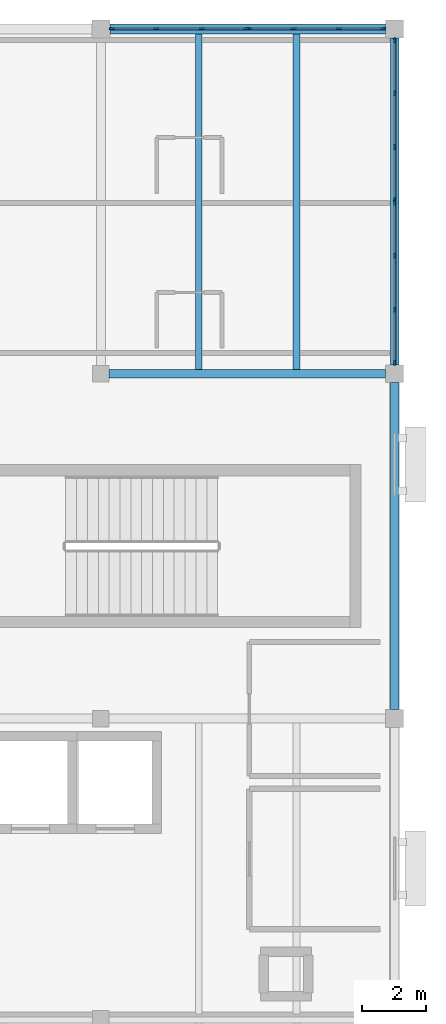
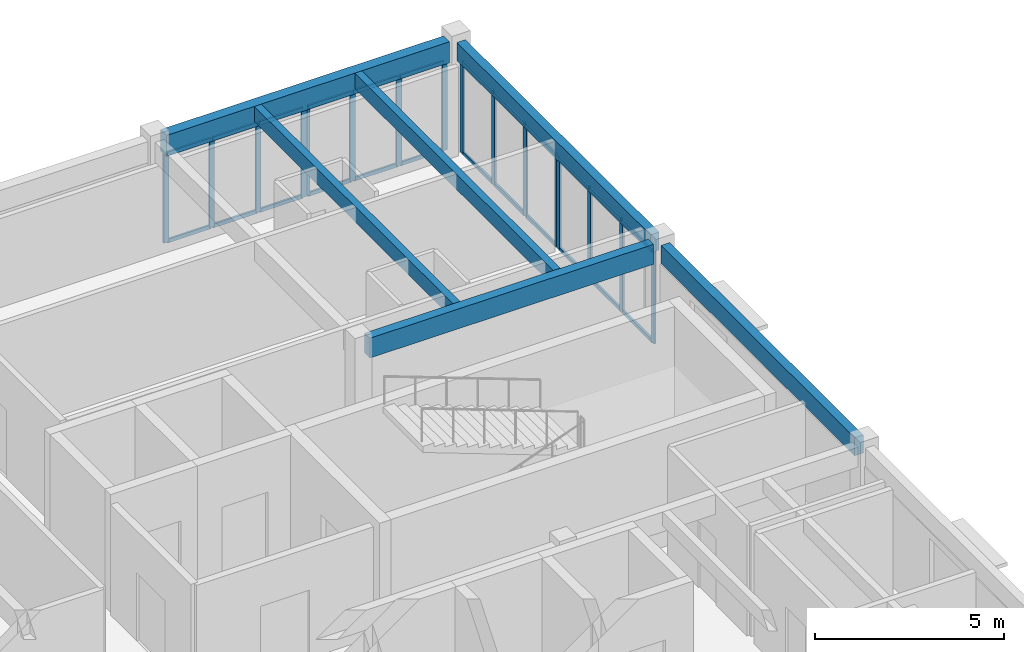
# One storey, part 19 of 40: 40 members, 6 beams, 4 elements without a shape of their own.
"""IFC4 building model written with IfcOpenShell, lengths in metres."""

from ifc_helpers import new_model, si_unit, direction, frame, origin, origin_2d, place, context, subcontext, project, spatial, rectangle, extrude, material, material_profile, profile_set, type_object, element, aggregate, save


model = new_model("IFC4")

# Units and contexts
model_context = context("Model", 3, precision=1e-05, world=origin(), true_north=direction((0.0, 1.0)))
body_context = subcontext(model_context, "Body", "Model", "MODEL_VIEW")
ifc_project = project(units=[si_unit("LENGTHUNIT", "METRE"), si_unit("AREAUNIT", "SQUARE_METRE"), si_unit("VOLUMEUNIT", "CUBIC_METRE"), si_unit("PLANEANGLEUNIT", "RADIAN"), si_unit("MASSUNIT", "GRAM", prefix="KILO")], contexts=[model_context])

# Site, building, storey
site_placement = place(None, origin())
site = spatial("IfcSite", under=ifc_project, at=site_placement, CompositionType="ELEMENT")
building_placement = place(site_placement, origin())
building = spatial("IfcBuilding", under=site, at=building_placement, Name="Veldera Park Congress Hotel", CompositionType="ELEMENT")
storey_placement = place(building_placement, frame((0.0, 0.0, 16.199951171875)))
storey = spatial("IfcBuildingStorey", under=building, at=storey_placement, Name="L03", CompositionType="ELEMENT", Elevation=16.199951171875)

# Beams
ifc_material_1 = material(Name="Glulam GL28h (NDS 24F-V4)", Category="wood")
ifc_material_profile_1 = material_profile(ifc_material_1, rectangle(XDim=0.264892578125, YDim=0.580078125, at=origin_2d()), Name="GL28h 265x580")
ifc_profile_set_1 = profile_set([ifc_material_profile_1], Name="Glulam GL28h (NDS 24F-V4)")
beam_type_1 = type_object("IfcBeamType", Name="BM-GL540E", PredefinedType="BEAM", material=ifc_profile_set_1)
for number, where, z_axis, x_axis, name in (
    (1, (84.0, 36.679931640625, 3.27001953125), (0.0, 1.0, 0.0), (-1.0, 0.0, 0.0), "L03 Girder BM-GL540E 1194"),
    (2, (84.0, 47.47998046875, 3.27001953125), (0.0, 1.0, 0.0), (-1.0, 0.0, 0.0), "L03 Girder BM-GL540E 1195"),
):
    element("IfcBeam", number, at=place(storey_placement, frame(where, z_axis=z_axis, x_axis=x_axis)), inside=storey, type_object=beam_type_1, Name=name, PredefinedType="BEAM", context=body_context, shape_type="SweptSolid", body=[
        extrude(rectangle(XDim=0.264892578125, YDim=0.580078125, at=origin_2d()), origin(), (0.0, 0.0, 1.0), 10.239990234375),
    ])
ifc_material_profile_2 = material_profile(ifc_material_1, rectangle(XDim=0.280029296875, YDim=0.639892578125, at=origin_2d()), Name="GL28h 280x640")
ifc_profile_set_2 = profile_set([ifc_material_profile_2], Name="Glulam GL28h (NDS 24F-V4)")
beam_type_2 = type_object("IfcBeamType", Name="BM-GL640", PredefinedType="BEAM", material=ifc_profile_set_2)
beam_1_placement = place(storey_placement, frame((75.06005859375, 47.199951171875, 3.239990234375), z_axis=(1.0, 0.0, 0.0), x_axis=(0.0, 1.0, 0.0)))
element("IfcBeam", 3, at=beam_1_placement, inside=storey, type_object=beam_type_2, Name="L03 Girder BM-GL640 1129", PredefinedType="BEAM", context=body_context, shape_type="SweptSolid", body=[
    extrude(rectangle(XDim=0.280029296875, YDim=0.639892578125, at=origin_2d()), origin(), (0.0, 0.0, 1.0), 8.659912109375),
])
ifc_material_profile_3 = material_profile(ifc_material_1, rectangle(XDim=0.31494140625, YDim=0.679931640625, at=origin_2d()), Name="GL28h 315x680")
ifc_profile_set_3 = profile_set([ifc_material_profile_3], Name="Glulam GL28h (NDS 24F-V4)")
beam_type_3 = type_object("IfcBeamType", Name="BM-GL640E", PredefinedType="BEAM", material=ifc_profile_set_3)
beam_2_placement = place(storey_placement, frame((75.080078125, 58.0, 3.219970703125), z_axis=(1.0, 0.0, 0.0), x_axis=(0.0, 1.0, 0.0)))
element("IfcBeam", 4, at=beam_2_placement, inside=storey, type_object=beam_type_3, Name="L03 Girder BM-GL640E 1138", PredefinedType="BEAM", context=body_context, shape_type="SweptSolid", body=[
    extrude(rectangle(XDim=0.31494140625, YDim=0.679931640625, at=origin_2d()), origin(), (0.0, 0.0, 1.0), 8.639892578125),
])

# Curtain wall, members
ifc_material_2 = material(Name="Low-E Triple Insulating Glass Unit (SHGC 0.22)", Category="glass")
curtain_wall_type = type_object("IfcCurtainWallType", Name="CW-HTL", PredefinedType="NOTDEFINED", material=ifc_material_2)
curtain_wall_1_placement = place(storey_placement, origin())
curtain_wall_1 = element("IfcCurtainWall", 5, at=curtain_wall_1_placement, inside=storey, type_object=curtain_wall_type, Name="L03 Curtain Wall CW3-HTLNE-L03-096", PredefinedType="NOTDEFINED")
ifc_material_3 = material(Name="Anodised Aluminium Alloy 6063-T6", Category="aluminium")
ifc_material_profile_4 = material_profile(ifc_material_3, rectangle(XDim=0.06005859375, YDim=0.159912109375, at=origin_2d()), Name="ALU 60x160")
ifc_profile_set_4 = profile_set([ifc_material_profile_4], Name="Anodised Aluminium Alloy 6063-T6")
member_type_1 = type_object("IfcMemberType", Name="CWM-160", PredefinedType="MULLION", material=ifc_profile_set_4)
member_1_placement = place(storey_placement, frame((84.0, 47.550048828125, 0.0), z_axis=(0.0, 0.0, 1.0), x_axis=(-1.0, 0.0, 0.0)))
member_1 = element("IfcMember", 6, at=member_1_placement, type_object=member_type_1, Name="CW-HTL mullion 1", PredefinedType="MULLION", context=body_context, shape_type="SweptSolid", body=[
    extrude(rectangle(XDim=0.06005859375, YDim=0.159912109375, at=origin_2d()), origin(), (0.0, 0.0, 1.0), 2.97509765625),
])
member_2_placement = place(storey_placement, frame((84.0, 49.208251953125, 0.0), z_axis=(0.0, 0.0, 1.0), x_axis=(-1.0, 0.0, 0.0)))
member_2 = element("IfcMember", 7, at=member_2_placement, type_object=member_type_1, Name="CW-HTL mullion 2", PredefinedType="MULLION", context=body_context, shape_type="SweptSolid", body=[
    extrude(rectangle(XDim=0.06005859375, YDim=0.159912109375, at=origin_2d()), origin(), (0.0, 0.0, 1.0), 2.97509765625),
])
member_3_placement = place(storey_placement, frame((84.0, 50.896728515625, 0.0), z_axis=(0.0, 0.0, 1.0), x_axis=(-1.0, 0.0, 0.0)))
member_3 = element("IfcMember", 8, at=member_3_placement, type_object=member_type_1, Name="CW-HTL mullion 3", PredefinedType="MULLION", context=body_context, shape_type="SweptSolid", body=[
    extrude(rectangle(XDim=0.06005859375, YDim=0.159912109375, at=origin_2d()), origin(), (0.0, 0.0, 1.0), 2.97509765625),
])
member_4_placement = place(storey_placement, frame((84.0, 52.554931640625, 0.0), z_axis=(0.0, 0.0, 1.0), x_axis=(-1.0, 0.0, 0.0)))
member_4 = element("IfcMember", 9, at=member_4_placement, type_object=member_type_1, Name="CW-HTL mullion 4", PredefinedType="MULLION", context=body_context, shape_type="SweptSolid", body=[
    extrude(rectangle(XDim=0.06005859375, YDim=0.159912109375, at=origin_2d()), origin(), (0.0, 0.0, 1.0), 2.97509765625),
])

curtain_wall_2_placement = place(storey_placement, origin())
curtain_wall_2 = element("IfcCurtainWall", 10, at=curtain_wall_2_placement, inside=storey, type_object=curtain_wall_type, Name="L03 Curtain Wall CW3-HTLNE-L03-097", PredefinedType="NOTDEFINED")
member_5_placement = place(storey_placement, frame((84.0, 52.64501953125, 0.0), z_axis=(0.0, 0.0, 1.0), x_axis=(-1.0, 0.0, 0.0)))
member_5 = element("IfcMember", 11, at=member_5_placement, type_object=member_type_1, Name="CW-HTL mullion 1", PredefinedType="MULLION", context=body_context, shape_type="SweptSolid", body=[
    extrude(rectangle(XDim=0.06005859375, YDim=0.159912109375, at=origin_2d()), origin(), (0.0, 0.0, 1.0), 2.97509765625),
])
member_6_placement = place(storey_placement, frame((84.0, 54.30322265625, 0.0), z_axis=(0.0, 0.0, 1.0), x_axis=(-1.0, 0.0, 0.0)))
member_6 = element("IfcMember", 12, at=member_6_placement, type_object=member_type_1, Name="CW-HTL mullion 2", PredefinedType="MULLION", context=body_context, shape_type="SweptSolid", body=[
    extrude(rectangle(XDim=0.06005859375, YDim=0.159912109375, at=origin_2d()), origin(), (0.0, 0.0, 1.0), 2.97509765625),
])
member_7_placement = place(storey_placement, frame((84.0, 55.99169921875, 0.0), z_axis=(0.0, 0.0, 1.0), x_axis=(-1.0, 0.0, 0.0)))
member_7 = element("IfcMember", 13, at=member_7_placement, type_object=member_type_1, Name="CW-HTL mullion 3", PredefinedType="MULLION", context=body_context, shape_type="SweptSolid", body=[
    extrude(rectangle(XDim=0.06005859375, YDim=0.159912109375, at=origin_2d()), origin(), (0.0, 0.0, 1.0), 2.97509765625),
])
member_8_placement = place(storey_placement, frame((84.0, 57.64990234375, 0.0), z_axis=(0.0, 0.0, 1.0), x_axis=(-1.0, 0.0, 0.0)))
member_8 = element("IfcMember", 14, at=member_8_placement, type_object=member_type_1, Name="CW-HTL mullion 4", PredefinedType="MULLION", context=body_context, shape_type="SweptSolid", body=[
    extrude(rectangle(XDim=0.06005859375, YDim=0.159912109375, at=origin_2d()), origin(), (0.0, 0.0, 1.0), 2.97509765625),
])

curtain_wall_3_placement = place(storey_placement, origin())
curtain_wall_3 = element("IfcCurtainWall", 15, at=curtain_wall_3_placement, inside=storey, type_object=curtain_wall_type, Name="L03 Curtain Wall CW3-HTLNN-L03-098", PredefinedType="NOTDEFINED")
member_9_placement = place(storey_placement, frame((83.64990234375, 58.0, 0.0), z_axis=(0.0, 0.0, 1.0), x_axis=(0.0, -1.0, 0.0)))
member_9 = element("IfcMember", 16, at=member_9_placement, type_object=member_type_1, Name="CW-HTL mullion 1", PredefinedType="MULLION", context=body_context, shape_type="SweptSolid", body=[
    extrude(rectangle(XDim=0.06005859375, YDim=0.159912109375, at=origin_2d()), origin(), (0.0, 0.0, 1.0), 2.875),
])
member_10_placement = place(storey_placement, frame((82.25830078125, 58.0, 0.0), z_axis=(0.0, 0.0, 1.0), x_axis=(0.0, -1.0, 0.0)))
member_10 = element("IfcMember", 17, at=member_10_placement, type_object=member_type_1, Name="CW-HTL mullion 2", PredefinedType="MULLION", context=body_context, shape_type="SweptSolid", body=[
    extrude(rectangle(XDim=0.06005859375, YDim=0.159912109375, at=origin_2d()), origin(), (0.0, 0.0, 1.0), 2.875),
])
member_11_placement = place(storey_placement, frame((80.836669921875, 58.0, 0.0), z_axis=(0.0, 0.0, 1.0), x_axis=(0.0, -1.0, 0.0)))
member_11 = element("IfcMember", 18, at=member_11_placement, type_object=member_type_1, Name="CW-HTL mullion 3", PredefinedType="MULLION", context=body_context, shape_type="SweptSolid", body=[
    extrude(rectangle(XDim=0.06005859375, YDim=0.159912109375, at=origin_2d()), origin(), (0.0, 0.0, 1.0), 2.875),
])
member_12_placement = place(storey_placement, frame((79.445068359375, 58.0, 0.0), z_axis=(0.0, 0.0, 1.0), x_axis=(0.0, -1.0, 0.0)))
member_12 = element("IfcMember", 19, at=member_12_placement, type_object=member_type_1, Name="CW-HTL mullion 4", PredefinedType="MULLION", context=body_context, shape_type="SweptSolid", body=[
    extrude(rectangle(XDim=0.06005859375, YDim=0.159912109375, at=origin_2d()), origin(), (0.0, 0.0, 1.0), 2.875),
])

curtain_wall_4_placement = place(storey_placement, origin())
curtain_wall_4 = element("IfcCurtainWall", 20, at=curtain_wall_4_placement, inside=storey, type_object=curtain_wall_type, Name="L03 Curtain Wall CW3-HTLNN-L03-099", PredefinedType="NOTDEFINED")
member_13_placement = place(storey_placement, frame((79.35498046875, 58.0, 0.0), z_axis=(0.0, 0.0, 1.0), x_axis=(0.0, -1.0, 0.0)))
member_13 = element("IfcMember", 21, at=member_13_placement, type_object=member_type_1, Name="CW-HTL mullion 1", PredefinedType="MULLION", context=body_context, shape_type="SweptSolid", body=[
    extrude(rectangle(XDim=0.06005859375, YDim=0.159912109375, at=origin_2d()), origin(), (0.0, 0.0, 1.0), 2.875),
])
member_14_placement = place(storey_placement, frame((77.96337890625, 58.0, 0.0), z_axis=(0.0, 0.0, 1.0), x_axis=(0.0, -1.0, 0.0)))
member_14 = element("IfcMember", 22, at=member_14_placement, type_object=member_type_1, Name="CW-HTL mullion 2", PredefinedType="MULLION", context=body_context, shape_type="SweptSolid", body=[
    extrude(rectangle(XDim=0.06005859375, YDim=0.159912109375, at=origin_2d()), origin(), (0.0, 0.0, 1.0), 2.875),
])
member_15_placement = place(storey_placement, frame((76.541748046875, 58.0, 0.0), z_axis=(0.0, 0.0, 1.0), x_axis=(0.0, -1.0, 0.0)))
member_15 = element("IfcMember", 23, at=member_15_placement, type_object=member_type_1, Name="CW-HTL mullion 3", PredefinedType="MULLION", context=body_context, shape_type="SweptSolid", body=[
    extrude(rectangle(XDim=0.06005859375, YDim=0.159912109375, at=origin_2d()), origin(), (0.0, 0.0, 1.0), 2.875),
])
member_16_placement = place(storey_placement, frame((75.14990234375, 58.0, 0.0), z_axis=(0.0, 0.0, 1.0), x_axis=(0.0, -1.0, 0.0)))
member_16 = element("IfcMember", 24, at=member_16_placement, type_object=member_type_1, Name="CW-HTL mullion 4", PredefinedType="MULLION", context=body_context, shape_type="SweptSolid", body=[
    extrude(rectangle(XDim=0.06005859375, YDim=0.159912109375, at=origin_2d()), origin(), (0.0, 0.0, 1.0), 2.875),
])

# Member
ifc_material_profile_5 = material_profile(ifc_material_3, rectangle(XDim=0.06005859375, YDim=0.1201171875, at=origin_2d()), Name="ALU 60x120")
ifc_profile_set_5 = profile_set([ifc_material_profile_5], Name="Anodised Aluminium Alloy 6063-T6")
member_type_2 = type_object("IfcMemberType", Name="CWT-120", PredefinedType="USERDEFINED", material=ifc_profile_set_5)
member_17_placement = place(storey_placement, frame((84.0, 47.580078125, 0.030029296875), z_axis=(0.0, 1.0, 0.0), x_axis=(-1.0, 0.0, 0.0)))
member_17 = element("IfcMember", 25, at=member_17_placement, type_object=member_type_2, Name="CW-HTL transom 1.1", ObjectType="TRANSOM", PredefinedType="USERDEFINED", context=body_context, shape_type="SweptSolid", body=[
    extrude(rectangle(XDim=0.06005859375, YDim=0.1201171875, at=origin_2d()), origin(), (0.0, 0.0, 1.0), 1.59814453125),
])

member_18_placement = place(storey_placement, frame((84.0, 47.580078125, 2.945068359375), z_axis=(0.0, 1.0, 0.0), x_axis=(-1.0, 0.0, 0.0)))
member_18 = element("IfcMember", 26, at=member_18_placement, type_object=member_type_2, Name="CW-HTL transom 1.2", ObjectType="TRANSOM", PredefinedType="USERDEFINED", context=body_context, shape_type="SweptSolid", body=[
    extrude(rectangle(XDim=0.06005859375, YDim=0.1201171875, at=origin_2d()), origin(), (0.0, 0.0, 1.0), 1.59814453125),
])

member_19_placement = place(storey_placement, frame((84.0, 49.23828125, 0.030029296875), z_axis=(0.0, 1.0, 0.0), x_axis=(-1.0, 0.0, 0.0)))
member_19 = element("IfcMember", 27, at=member_19_placement, type_object=member_type_2, Name="CW-HTL transom 2.1", ObjectType="TRANSOM", PredefinedType="USERDEFINED", context=body_context, shape_type="SweptSolid", body=[
    extrude(rectangle(XDim=0.06005859375, YDim=0.1201171875, at=origin_2d()), origin(), (0.0, 0.0, 1.0), 1.62841796875),
])

member_20_placement = place(storey_placement, frame((84.0, 49.23828125, 2.945068359375), z_axis=(0.0, 1.0, 0.0), x_axis=(-1.0, 0.0, 0.0)))
member_20 = element("IfcMember", 28, at=member_20_placement, type_object=member_type_2, Name="CW-HTL transom 2.2", ObjectType="TRANSOM", PredefinedType="USERDEFINED", context=body_context, shape_type="SweptSolid", body=[
    extrude(rectangle(XDim=0.06005859375, YDim=0.1201171875, at=origin_2d()), origin(), (0.0, 0.0, 1.0), 1.62841796875),
])

member_21_placement = place(storey_placement, frame((84.0, 50.9267578125, 0.030029296875), z_axis=(0.0, 1.0, 0.0), x_axis=(-1.0, 0.0, 0.0)))
member_21 = element("IfcMember", 29, at=member_21_placement, type_object=member_type_2, Name="CW-HTL transom 3.1", ObjectType="TRANSOM", PredefinedType="USERDEFINED", context=body_context, shape_type="SweptSolid", body=[
    extrude(rectangle(XDim=0.06005859375, YDim=0.1201171875, at=origin_2d()), origin(), (0.0, 0.0, 1.0), 1.59814453125),
])

member_22_placement = place(storey_placement, frame((84.0, 50.9267578125, 2.945068359375), z_axis=(0.0, 1.0, 0.0), x_axis=(-1.0, 0.0, 0.0)))
member_22 = element("IfcMember", 30, at=member_22_placement, type_object=member_type_2, Name="CW-HTL transom 3.2", ObjectType="TRANSOM", PredefinedType="USERDEFINED", context=body_context, shape_type="SweptSolid", body=[
    extrude(rectangle(XDim=0.06005859375, YDim=0.1201171875, at=origin_2d()), origin(), (0.0, 0.0, 1.0), 1.59814453125),
])

aggregate(curtain_wall_1, [member_1, member_2, member_3, member_4, member_17, member_18, member_19, member_20, member_21, member_22])

member_23_placement = place(storey_placement, frame((84.0, 52.675048828125, 0.030029296875), z_axis=(0.0, 1.0, 0.0), x_axis=(-1.0, 0.0, 0.0)))
member_23 = element("IfcMember", 31, at=member_23_placement, type_object=member_type_2, Name="CW-HTL transom 1.1", ObjectType="TRANSOM", PredefinedType="USERDEFINED", context=body_context, shape_type="SweptSolid", body=[
    extrude(rectangle(XDim=0.06005859375, YDim=0.1201171875, at=origin_2d()), origin(), (0.0, 0.0, 1.0), 1.598388671875),
])

member_24_placement = place(storey_placement, frame((84.0, 52.675048828125, 2.945068359375), z_axis=(0.0, 1.0, 0.0), x_axis=(-1.0, 0.0, 0.0)))
member_24 = element("IfcMember", 32, at=member_24_placement, type_object=member_type_2, Name="CW-HTL transom 1.2", ObjectType="TRANSOM", PredefinedType="USERDEFINED", context=body_context, shape_type="SweptSolid", body=[
    extrude(rectangle(XDim=0.06005859375, YDim=0.1201171875, at=origin_2d()), origin(), (0.0, 0.0, 1.0), 1.598388671875),
])

member_25_placement = place(storey_placement, frame((84.0, 54.333251953125, 0.030029296875), z_axis=(0.0, 1.0, 0.0), x_axis=(-1.0, 0.0, 0.0)))
member_25 = element("IfcMember", 33, at=member_25_placement, type_object=member_type_2, Name="CW-HTL transom 2.1", ObjectType="TRANSOM", PredefinedType="USERDEFINED", context=body_context, shape_type="SweptSolid", body=[
    extrude(rectangle(XDim=0.06005859375, YDim=0.1201171875, at=origin_2d()), origin(), (0.0, 0.0, 1.0), 1.62841796875),
])

member_26_placement = place(storey_placement, frame((84.0, 54.333251953125, 2.945068359375), z_axis=(0.0, 1.0, 0.0), x_axis=(-1.0, 0.0, 0.0)))
member_26 = element("IfcMember", 34, at=member_26_placement, type_object=member_type_2, Name="CW-HTL transom 2.2", ObjectType="TRANSOM", PredefinedType="USERDEFINED", context=body_context, shape_type="SweptSolid", body=[
    extrude(rectangle(XDim=0.06005859375, YDim=0.1201171875, at=origin_2d()), origin(), (0.0, 0.0, 1.0), 1.62841796875),
])

member_27_placement = place(storey_placement, frame((84.0, 56.021728515625, 0.030029296875), z_axis=(0.0, 1.0, 0.0), x_axis=(-1.0, 0.0, 0.0)))
member_27 = element("IfcMember", 35, at=member_27_placement, type_object=member_type_2, Name="CW-HTL transom 3.1", ObjectType="TRANSOM", PredefinedType="USERDEFINED", context=body_context, shape_type="SweptSolid", body=[
    extrude(rectangle(XDim=0.06005859375, YDim=0.1201171875, at=origin_2d()), origin(), (0.0, 0.0, 1.0), 1.598388671875),
])

member_28_placement = place(storey_placement, frame((84.0, 56.021728515625, 2.945068359375), z_axis=(0.0, 1.0, 0.0), x_axis=(-1.0, 0.0, 0.0)))
member_28 = element("IfcMember", 36, at=member_28_placement, type_object=member_type_2, Name="CW-HTL transom 3.2", ObjectType="TRANSOM", PredefinedType="USERDEFINED", context=body_context, shape_type="SweptSolid", body=[
    extrude(rectangle(XDim=0.06005859375, YDim=0.1201171875, at=origin_2d()), origin(), (0.0, 0.0, 1.0), 1.598388671875),
])

aggregate(curtain_wall_2, [member_5, member_6, member_7, member_8, member_23, member_24, member_25, member_26, member_27, member_28])

member_29_placement = place(storey_placement, frame((83.6201171875, 58.0, 0.030029296875), z_axis=(-1.0, 0.0, 0.0), x_axis=(0.0, -1.0, 0.0)))
member_29 = element("IfcMember", 37, at=member_29_placement, type_object=member_type_2, Name="CW-HTL transom 1.1", ObjectType="TRANSOM", PredefinedType="USERDEFINED", context=body_context, shape_type="SweptSolid", body=[
    extrude(rectangle(XDim=0.06005859375, YDim=0.1201171875, at=origin_2d()), origin(), (0.0, 0.0, 1.0), 1.331787109375),
])

member_30_placement = place(storey_placement, frame((83.6201171875, 58.0, 2.844970703125), z_axis=(-1.0, 0.0, 0.0), x_axis=(0.0, -1.0, 0.0)))
member_30 = element("IfcMember", 38, at=member_30_placement, type_object=member_type_2, Name="CW-HTL transom 1.2", ObjectType="TRANSOM", PredefinedType="USERDEFINED", context=body_context, shape_type="SweptSolid", body=[
    extrude(rectangle(XDim=0.06005859375, YDim=0.1201171875, at=origin_2d()), origin(), (0.0, 0.0, 1.0), 1.331787109375),
])

member_31_placement = place(storey_placement, frame((82.228271484375, 58.0, 0.030029296875), z_axis=(-1.0, 0.0, 0.0), x_axis=(0.0, -1.0, 0.0)))
member_31 = element("IfcMember", 39, at=member_31_placement, type_object=member_type_2, Name="CW-HTL transom 2.1", ObjectType="TRANSOM", PredefinedType="USERDEFINED", context=body_context, shape_type="SweptSolid", body=[
    extrude(rectangle(XDim=0.06005859375, YDim=0.1201171875, at=origin_2d()), origin(), (0.0, 0.0, 1.0), 1.361572265625),
])

member_32_placement = place(storey_placement, frame((82.228271484375, 58.0, 2.844970703125), z_axis=(-1.0, 0.0, 0.0), x_axis=(0.0, -1.0, 0.0)))
member_32 = element("IfcMember", 40, at=member_32_placement, type_object=member_type_2, Name="CW-HTL transom 2.2", ObjectType="TRANSOM", PredefinedType="USERDEFINED", context=body_context, shape_type="SweptSolid", body=[
    extrude(rectangle(XDim=0.06005859375, YDim=0.1201171875, at=origin_2d()), origin(), (0.0, 0.0, 1.0), 1.361572265625),
])

member_33_placement = place(storey_placement, frame((80.806640625, 58.0, 0.030029296875), z_axis=(-1.0, 0.0, 0.0), x_axis=(0.0, -1.0, 0.0)))
member_33 = element("IfcMember", 41, at=member_33_placement, type_object=member_type_2, Name="CW-HTL transom 3.1", ObjectType="TRANSOM", PredefinedType="USERDEFINED", context=body_context, shape_type="SweptSolid", body=[
    extrude(rectangle(XDim=0.06005859375, YDim=0.1201171875, at=origin_2d()), origin(), (0.0, 0.0, 1.0), 1.33154296875),
])

member_34_placement = place(storey_placement, frame((80.806640625, 58.0, 2.844970703125), z_axis=(-1.0, 0.0, 0.0), x_axis=(0.0, -1.0, 0.0)))
member_34 = element("IfcMember", 42, at=member_34_placement, type_object=member_type_2, Name="CW-HTL transom 3.2", ObjectType="TRANSOM", PredefinedType="USERDEFINED", context=body_context, shape_type="SweptSolid", body=[
    extrude(rectangle(XDim=0.06005859375, YDim=0.1201171875, at=origin_2d()), origin(), (0.0, 0.0, 1.0), 1.33154296875),
])

aggregate(curtain_wall_3, [member_9, member_10, member_11, member_12, member_29, member_30, member_31, member_32, member_33, member_34])

member_35_placement = place(storey_placement, frame((79.324951171875, 58.0, 0.030029296875), z_axis=(-1.0, 0.0, 0.0), x_axis=(0.0, -1.0, 0.0)))
member_35 = element("IfcMember", 43, at=member_35_placement, type_object=member_type_2, Name="CW-HTL transom 1.1", ObjectType="TRANSOM", PredefinedType="USERDEFINED", context=body_context, shape_type="SweptSolid", body=[
    extrude(rectangle(XDim=0.06005859375, YDim=0.1201171875, at=origin_2d()), origin(), (0.0, 0.0, 1.0), 1.33154296875),
])

member_36_placement = place(storey_placement, frame((79.324951171875, 58.0, 2.844970703125), z_axis=(-1.0, 0.0, 0.0), x_axis=(0.0, -1.0, 0.0)))
member_36 = element("IfcMember", 44, at=member_36_placement, type_object=member_type_2, Name="CW-HTL transom 1.2", ObjectType="TRANSOM", PredefinedType="USERDEFINED", context=body_context, shape_type="SweptSolid", body=[
    extrude(rectangle(XDim=0.06005859375, YDim=0.1201171875, at=origin_2d()), origin(), (0.0, 0.0, 1.0), 1.33154296875),
])

member_37_placement = place(storey_placement, frame((77.933349609375, 58.0, 0.030029296875), z_axis=(-1.0, 0.0, 0.0), x_axis=(0.0, -1.0, 0.0)))
member_37 = element("IfcMember", 45, at=member_37_placement, type_object=member_type_2, Name="CW-HTL transom 2.1", ObjectType="TRANSOM", PredefinedType="USERDEFINED", context=body_context, shape_type="SweptSolid", body=[
    extrude(rectangle(XDim=0.06005859375, YDim=0.1201171875, at=origin_2d()), origin(), (0.0, 0.0, 1.0), 1.361572265625),
])

member_38_placement = place(storey_placement, frame((77.933349609375, 58.0, 2.844970703125), z_axis=(-1.0, 0.0, 0.0), x_axis=(0.0, -1.0, 0.0)))
member_38 = element("IfcMember", 46, at=member_38_placement, type_object=member_type_2, Name="CW-HTL transom 2.2", ObjectType="TRANSOM", PredefinedType="USERDEFINED", context=body_context, shape_type="SweptSolid", body=[
    extrude(rectangle(XDim=0.06005859375, YDim=0.1201171875, at=origin_2d()), origin(), (0.0, 0.0, 1.0), 1.361572265625),
])

member_39_placement = place(storey_placement, frame((76.51171875, 58.0, 0.030029296875), z_axis=(-1.0, 0.0, 0.0), x_axis=(0.0, -1.0, 0.0)))
member_39 = element("IfcMember", 47, at=member_39_placement, type_object=member_type_2, Name="CW-HTL transom 3.1", ObjectType="TRANSOM", PredefinedType="USERDEFINED", context=body_context, shape_type="SweptSolid", body=[
    extrude(rectangle(XDim=0.06005859375, YDim=0.1201171875, at=origin_2d()), origin(), (0.0, 0.0, 1.0), 1.331787109375),
])

member_40_placement = place(storey_placement, frame((76.51171875, 58.0, 2.844970703125), z_axis=(-1.0, 0.0, 0.0), x_axis=(0.0, -1.0, 0.0)))
member_40 = element("IfcMember", 48, at=member_40_placement, type_object=member_type_2, Name="CW-HTL transom 3.2", ObjectType="TRANSOM", PredefinedType="USERDEFINED", context=body_context, shape_type="SweptSolid", body=[
    extrude(rectangle(XDim=0.06005859375, YDim=0.1201171875, at=origin_2d()), origin(), (0.0, 0.0, 1.0), 1.331787109375),
])

aggregate(curtain_wall_4, [member_13, member_14, member_15, member_16, member_35, member_36, member_37, member_38, member_39, member_40])

# Beams
ifc_material_profile_6 = material_profile(ifc_material_1, rectangle(XDim=0.215087890625, YDim=0.4951171875, at=origin_2d()), Name="GL28h 215x495")
ifc_profile_set_6 = profile_set([ifc_material_profile_6], Name="Glulam GL28h (NDS 24F-V4)")
beam_type_4 = type_object("IfcBeamType", Name="JST-GL495", PredefinedType="JOIST", material=ifc_profile_set_6)
for number, where, z_axis, x_axis, name in (
    (49, (77.86669921875, 47.340087890625, 3.3125), (0.0, 1.0, 0.0), (-1.0, 0.0, 0.0), "L03 Floor Joist JST-GL495 1251"),
    (50, (80.933349609375, 47.340087890625, 3.3125), (0.0, 1.0, 0.0), (-1.0, 0.0, 0.0), "L03 Floor Joist JST-GL495 1252"),
):
    element("IfcBeam", number, at=place(storey_placement, frame(where, z_axis=z_axis, x_axis=x_axis)), inside=storey, type_object=beam_type_4, Name=name, PredefinedType="JOIST", context=body_context, shape_type="SweptSolid", body=[
        extrude(rectangle(XDim=0.215087890625, YDim=0.4951171875, at=origin_2d()), origin(), (0.0, 0.0, 1.0), 10.50244140625),
    ])

save(model, "model.ifc")
